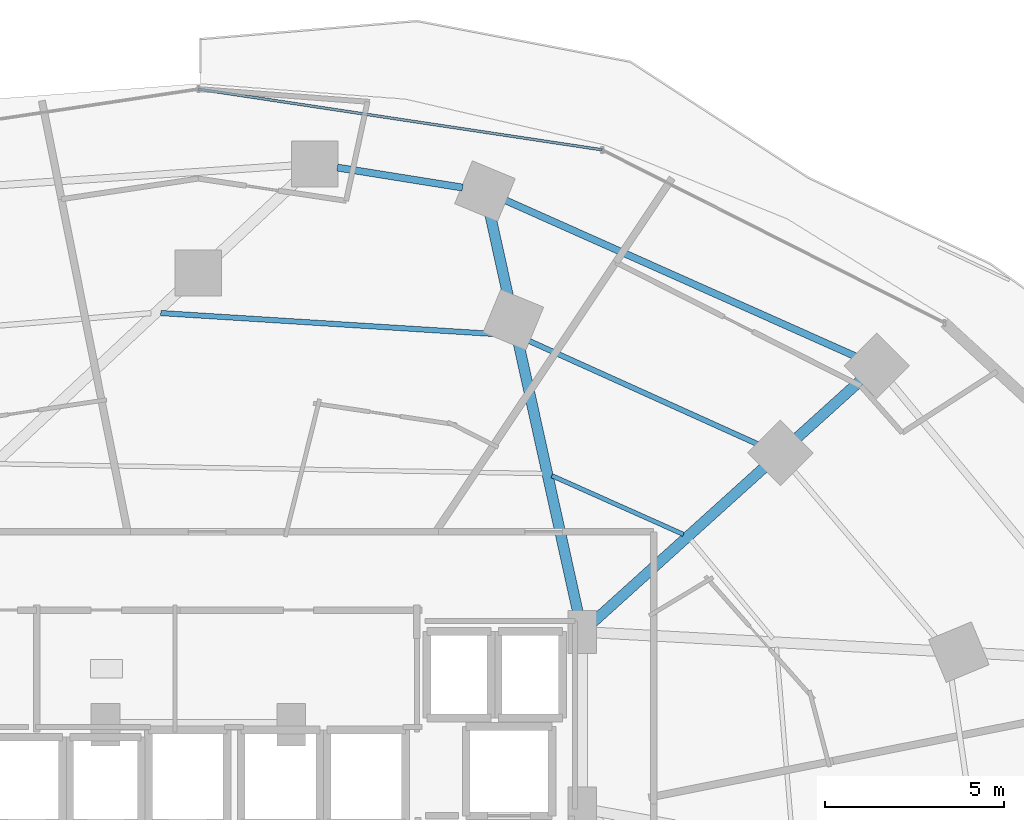
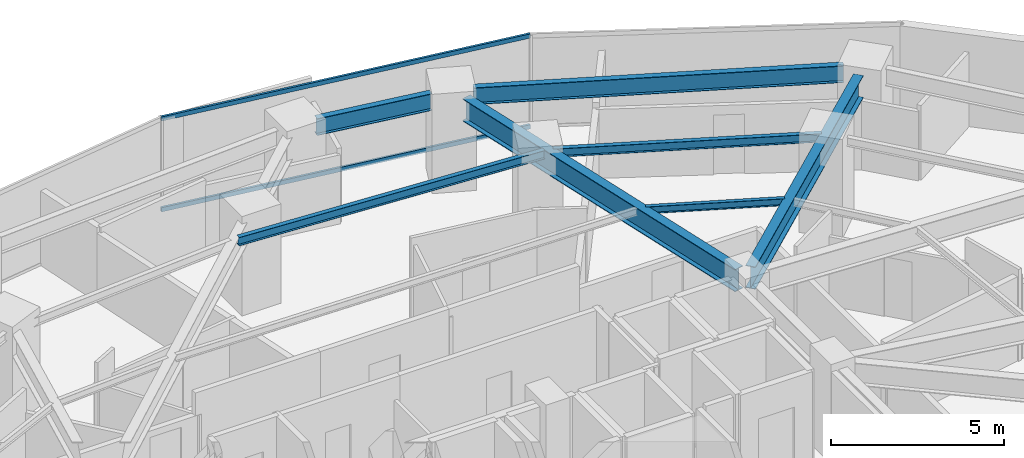
# One storey, part 22 of 33: 7 beams, 2 members, 1 element without a shape of its own.
"""IFC4 building model written with IfcOpenShell, lengths in metres."""

from ifc_helpers import new_model, si_unit, direction, frame, origin, origin_2d, place, context, subcontext, project, spatial, hollow_rectangle, i_section, extrude, material, material_profile, profile_set, type_object, element, aggregate, save


model = new_model("IFC4")

# Units and contexts
model_context = context("Model", 3, precision=1e-05, world=origin(), true_north=direction((0.0, 1.0)))
body_context = subcontext(model_context, "Body", "Model", "MODEL_VIEW")
ifc_project = project(units=[si_unit("LENGTHUNIT", "METRE"), si_unit("AREAUNIT", "SQUARE_METRE"), si_unit("VOLUMEUNIT", "CUBIC_METRE"), si_unit("PLANEANGLEUNIT", "RADIAN"), si_unit("MASSUNIT", "GRAM", prefix="KILO")], contexts=[model_context])

# Site, building, storey
site_placement = place(None, origin())
site = spatial("IfcSite", under=ifc_project, at=site_placement, CompositionType="ELEMENT")
building_placement = place(site_placement, origin())
building = spatial("IfcBuilding", under=site, at=building_placement, Name="Vorneva Point Tower", CompositionType="ELEMENT")
storey_placement = place(building_placement, frame((0.0, 0.0, 34.5)))
storey = spatial("IfcBuildingStorey", under=building, at=storey_placement, Name="L08", CompositionType="ELEMENT", Elevation=34.5)

# Beams
ifc_material_1 = material(Name="Steel S355", Category="steel")
ifc_material_profile_1 = material_profile(ifc_material_1, i_section(OverallWidth=0.300048828125, OverallDepth=0.7880859375, WebThickness=0.014404296875, FlangeThickness=0.02197265625, at=origin_2d()), Name="80Sh1")
ifc_profile_set_1 = profile_set([ifc_material_profile_1], Name="Steel S355")
beam_type_1 = type_object("IfcBeamType", Name="BM-GRD-80Sh1", PredefinedType="USERDEFINED", material=ifc_profile_set_1)
beam_1_placement = place(storey_placement, frame((56.52392578125, 40.172119140625, 2.845947265625), z_axis=(-0.742084477445, -0.67030636901, 0.0), x_axis=(0.67030636901, -0.742084477445, 0.0)))
element("IfcBeam", 1, at=beam_1_placement, inside=storey, type_object=beam_type_1, Name="L08 Radial Primary Girder 03", ObjectType="GIRDER", PredefinedType="USERDEFINED", context=body_context, shape_type="SweptSolid", body=[
    extrude(i_section(OverallWidth=0.300048828125, OverallDepth=0.7880859375, WebThickness=0.014404296875, FlangeThickness=0.02197265625, at=origin_2d()), origin(), (0.0, 0.0, 1.0), 10.135986328125),
])
beam_2_placement = place(storey_placement, frame((46.163818359375, 44.86865234375, 2.845947265625), z_axis=(0.215504784711, -0.976502784311, 0.0), x_axis=(0.976502784311, 0.215504784711, 0.0)))
element("IfcBeam", 2, at=beam_2_placement, inside=storey, type_object=beam_type_1, Name="L08 Radial Primary Girder 04", ObjectType="GIRDER", PredefinedType="USERDEFINED", context=body_context, shape_type="SweptSolid", body=[
    extrude(i_section(OverallWidth=0.300048828125, OverallDepth=0.7880859375, WebThickness=0.014404296875, FlangeThickness=0.02197265625, at=origin_2d()), origin(), (0.0, 0.0, 1.0), 11.66064453125),
])
ifc_material_profile_2 = material_profile(ifc_material_1, i_section(OverallWidth=0.1240234375, OverallDepth=0.248046875, WebThickness=0.0048828125, FlangeThickness=0.008056640625, at=origin_2d()), Name="25B1")
ifc_profile_set_2 = profile_set([ifc_material_profile_2], Name="Steel S355")
beam_type_2 = type_object("IfcBeamType", Name="BM-JST-25B1", PredefinedType="JOIST", material=ifc_profile_set_2)
beam_3_placement = place(storey_placement, frame((51.583984375, 35.8798828125, 3.115966796875), z_axis=(-0.913186925574, 0.40754096599, 0.0), x_axis=(-0.40754096599, -0.913186925574, 0.0)))
element("IfcBeam", 3, at=beam_3_placement, inside=storey, type_object=beam_type_2, Name="L08 Secondary Floor Beam 2.03", PredefinedType="JOIST", context=body_context, shape_type="SweptSolid", body=[
    extrude(i_section(OverallWidth=0.1240234375, OverallDepth=0.248046875, WebThickness=0.0048828125, FlangeThickness=0.008056640625, at=origin_2d()), origin(), (0.0, 0.0, 1.0), 4.036376953125),
])
ifc_material_profile_3 = material_profile(ifc_material_1, i_section(OverallWidth=0.14892578125, OverallDepth=0.298095703125, WebThickness=0.005615234375, FlangeThickness=0.008056640625, at=origin_2d()), Name="30B1")
ifc_profile_set_3 = profile_set([ifc_material_profile_3], Name="Steel S355")
beam_type_3 = type_object("IfcBeamType", Name="BM-JST-30B1", PredefinedType="JOIST", material=ifc_profile_set_3)
beam_4_placement = place(storey_placement, frame((54.1416015625, 38.190673828125, 3.091064453125), z_axis=(-0.911396391121, 0.411529607988, 0.0), x_axis=(-0.411529607988, -0.911396391121, 0.0)))
element("IfcBeam", 4, at=beam_4_placement, inside=storey, type_object=beam_type_3, Name="L08 Secondary Floor Beam 1.03", PredefinedType="JOIST", context=body_context, shape_type="SweptSolid", body=[
    extrude(i_section(OverallWidth=0.14892578125, OverallDepth=0.298095703125, WebThickness=0.005615234375, FlangeThickness=0.008056640625, at=origin_2d()), origin(), (0.0, 0.0, 1.0), 7.7880859375),
])
beam_5_placement = place(storey_placement, frame((46.77978515625, 41.461181640625, 3.091064453125), z_axis=(-0.998039153369, 0.062592717963, 0.0), x_axis=(-0.062592717963, -0.998039153369, 0.0)))
element("IfcBeam", 5, at=beam_5_placement, inside=storey, type_object=beam_type_3, Name="L08 Secondary Floor Beam 1.04", PredefinedType="JOIST", context=body_context, shape_type="SweptSolid", body=[
    extrude(i_section(OverallWidth=0.14892578125, OverallDepth=0.298095703125, WebThickness=0.005615234375, FlangeThickness=0.008056640625, at=origin_2d()), origin(), (0.0, 0.0, 1.0), 9.8525390625),
])
ifc_material_profile_4 = material_profile(ifc_material_1, i_section(OverallWidth=0.198974609375, OverallDepth=0.595947265625, WebThickness=0.010009765625, FlangeThickness=0.014892578125, at=origin_2d()), Name="60B1")
ifc_profile_set_4 = profile_set([ifc_material_profile_4], Name="Steel S355")
beam_type_4 = type_object("IfcBeamType", Name="BM-SPN-60B1", PredefinedType="SPANDREL", material=ifc_profile_set_4)
beam_6_placement = place(storey_placement, frame((56.41748046875, 40.8583984375, 2.94189453125), z_axis=(-0.913329187558, 0.407222046499, 0.0), x_axis=(-0.407222046499, -0.913329187558, 0.0)))
element("IfcBeam", 6, at=beam_6_placement, inside=storey, type_object=beam_type_4, Name="L08 Perimeter Spandrel Ring Beam 03", PredefinedType="SPANDREL", context=body_context, shape_type="SweptSolid", body=[
    extrude(i_section(OverallWidth=0.198974609375, OverallDepth=0.595947265625, WebThickness=0.010009765625, FlangeThickness=0.014892578125, at=origin_2d()), origin(), (0.0, 0.0, 1.0), 10.742431640625),
])
beam_7_placement = place(storey_placement, frame((45.399169921875, 45.591796875, 2.94189453125), z_axis=(-0.987466356523, 0.157829638328, 0.0), x_axis=(-0.157829638328, -0.987466356523, 0.0)))
element("IfcBeam", 7, at=beam_7_placement, inside=storey, type_object=beam_type_4, Name="L08 Perimeter Spandrel Ring Beam 04", PredefinedType="SPANDREL", context=body_context, shape_type="SweptSolid", body=[
    extrude(i_section(OverallWidth=0.198974609375, OverallDepth=0.595947265625, WebThickness=0.010009765625, FlangeThickness=0.014892578125, at=origin_2d()), origin(), (0.0, 0.0, 1.0), 3.551513671875),
])

# Curtain wall, members
ifc_material_2 = material(Name="Pale anodised aluminium", Category="aluminium")
curtain_wall_type = type_object("IfcCurtainWallType", Name="CW-HTL-SYS", PredefinedType="NOTDEFINED", material=ifc_material_2)
curtain_wall_placement = place(storey_placement, origin())
curtain_wall = element("IfcCurtainWall", 8, at=curtain_wall_placement, inside=storey, type_object=curtain_wall_type, Name="L08 Unitised Curtain Wall CW-L08-R02", PredefinedType="NOTDEFINED")
ifc_material_profile_5 = material_profile(ifc_material_2, hollow_rectangle(XDim=0.074951171875, YDim=0.14990234375, WallThickness=0.00390625, at=origin_2d()), Name="AL-TRN 150x75x4")
ifc_profile_set_5 = profile_set([ifc_material_profile_5], Name="Pale anodised aluminium")
member_type = type_object("IfcMemberType", Name="CW-TRN-150", PredefinedType="USERDEFINED", material=ifc_profile_set_5)
member_1_placement = place(storey_placement, frame((49.308349609375, 46.648681640625, 0.02001953125), z_axis=(-0.988870014575, 0.148782036131, 0.0), x_axis=(-0.148782036131, -0.988870014575, 0.0)))
member_1 = element("IfcMember", 9, at=member_1_placement, type_object=member_type, Name="CW-L08-R02 Transom 02.1", ObjectType="TRANSOM", PredefinedType="USERDEFINED", context=body_context, shape_type="SweptSolid", body=[
    extrude(hollow_rectangle(XDim=0.074951171875, YDim=0.14990234375, WallThickness=0.00390625, at=origin_2d()), origin(), (0.0, 0.0, 1.0), 11.435546875),
])
member_2_placement = place(storey_placement, frame((49.308349609375, 46.648681640625, 3.219970703125), z_axis=(-0.988870014575, 0.148782036131, 0.0), x_axis=(-0.148782036131, -0.988870014575, 0.0)))
member_2 = element("IfcMember", 10, at=member_2_placement, type_object=member_type, Name="CW-L08-R02 Transom 02.2", ObjectType="TRANSOM", PredefinedType="USERDEFINED", context=body_context, shape_type="SweptSolid", body=[
    extrude(hollow_rectangle(XDim=0.074951171875, YDim=0.14990234375, WallThickness=0.00390625, at=origin_2d()), origin(), (0.0, 0.0, 1.0), 11.435546875),
])
aggregate(curtain_wall, [member_1, member_2])

save(model, "model.ifc")
